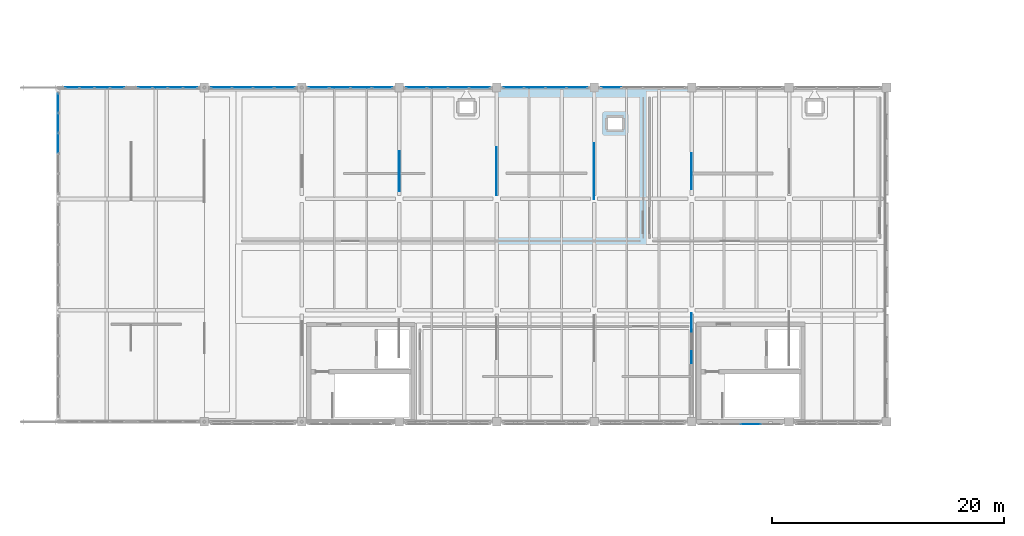
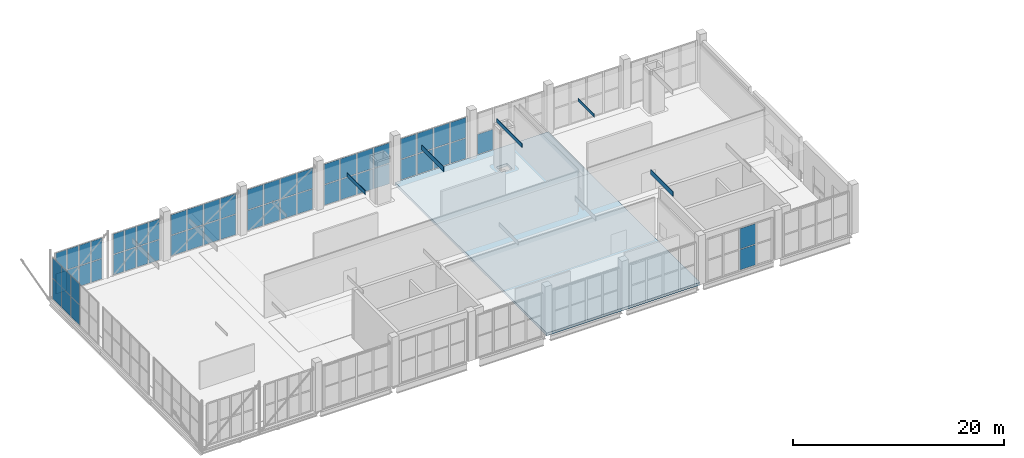
# One storey, part 30 of 49: 62 plates, 1 slab, 9 elements without a shape of their own.
"""IFC4 building model written with IfcOpenShell, lengths in metres."""

from ifc_helpers import new_model, si_unit, direction, frame, origin, origin_2d, place, context, subcontext, project, spatial, polyline, rectangle, outline, extrude, material, layer, layer_set, type_object, element, aggregate, save


model = new_model("IFC4")

# Units and contexts
model_context = context("Model", 3, precision=1e-05, world=origin(), true_north=direction((0.0, 1.0)))
body_context = subcontext(model_context, "Body", "Model", "MODEL_VIEW")
ifc_project = project(units=[si_unit("LENGTHUNIT", "METRE"), si_unit("AREAUNIT", "SQUARE_METRE"), si_unit("VOLUMEUNIT", "CUBIC_METRE"), si_unit("PLANEANGLEUNIT", "RADIAN"), si_unit("MASSUNIT", "GRAM", prefix="KILO")], contexts=[model_context])

# Site, building, storey
site_placement = place(None, origin())
site = spatial("IfcSite", under=ifc_project, at=site_placement, CompositionType="ELEMENT")
building_placement = place(site_placement, origin())
building = spatial("IfcBuilding", under=site, at=building_placement, Name="Zulmaris Art Gallery", CompositionType="ELEMENT")
storey_placement = place(building_placement, frame((0.0, 0.0, 20.699951171875)))
storey = spatial("IfcBuildingStorey", under=building, at=storey_placement, Name="L04", CompositionType="ELEMENT", Elevation=20.699951171875)

# Curtain wall, plates
ifc_material_1 = material(Name="Unitised Low-E Gallery Curtain Wall", Category="aluminium")
ifc_layer_1 = layer(ifc_material_1, 0.179931640625)
ifc_layer_set_1 = layer_set([ifc_layer_1], Name="Unitised Low-E Gallery Curtain Wall")
curtain_wall_type_1 = type_object("IfcCurtainWallType", Name="CW-CW01", PredefinedType="NOTDEFINED", material=ifc_layer_set_1)
curtain_wall_1_placement = place(storey_placement, origin())
curtain_wall_1 = element("IfcCurtainWall", 1, at=curtain_wall_1_placement, inside=storey, type_object=curtain_wall_type_1, Name="L04 curtain wall 20", PredefinedType="NOTDEFINED")
ifc_material_2 = material(Name="Triple Solar-Control Laminated Glass", Category="glass")
ifc_layer_2 = layer(ifc_material_2, 0.035888671875)
ifc_layer_set_2 = layer_set([ifc_layer_2], Name="Triple Solar-Control Laminated Glass")
plate_type_1 = type_object("IfcPlateType", Name="CWPAN-GLZ", PredefinedType="CURTAIN_PANEL", material=ifc_layer_set_2)
plate_1_placement = place(storey_placement, frame((16.48876953125, 50.39990234375, 0.0751953125), z_axis=(0.0, 0.0, 1.0), x_axis=(-1.0, 0.0, 0.0)))
plate_1 = element("IfcPlate", 2, at=plate_1_placement, type_object=plate_type_1, Name="CW01 panel 1.1", PredefinedType="CURTAIN_PANEL", context=body_context, shape_type="SweptSolid", body=[
    extrude(rectangle(XDim=1.1923828125, YDim=0.031982421875, at=origin_2d()), origin(), (0.0, 0.0, 1.0), 2.33740234375),
])
plate_2_placement = place(storey_placement, frame((16.48876953125, 50.39990234375, 2.487548828125), z_axis=(0.0, 0.0, 1.0), x_axis=(-1.0, 0.0, 0.0)))
plate_2 = element("IfcPlate", 3, at=plate_2_placement, type_object=plate_type_1, Name="CW01 panel 1.2", PredefinedType="CURTAIN_PANEL", context=body_context, shape_type="SweptSolid", body=[
    extrude(rectangle(XDim=1.1923828125, YDim=0.031982421875, at=origin_2d()), origin(), (0.0, 0.0, 1.0), 2.33740234375),
])
plate_3_placement = place(storey_placement, frame((15.202392578125, 50.39990234375, 0.0751953125), z_axis=(0.0, 0.0, 1.0), x_axis=(-1.0, 0.0, 0.0)))
plate_3 = element("IfcPlate", 4, at=plate_3_placement, type_object=plate_type_1, Name="CW01 panel 2.1", PredefinedType="CURTAIN_PANEL", context=body_context, shape_type="SweptSolid", body=[
    extrude(rectangle(XDim=1.22998046875, YDim=0.031982421875, at=origin_2d()), origin(), (0.0, 0.0, 1.0), 2.33740234375),
])
plate_4_placement = place(storey_placement, frame((15.202392578125, 50.39990234375, 2.487548828125), z_axis=(0.0, 0.0, 1.0), x_axis=(-1.0, 0.0, 0.0)))
plate_4 = element("IfcPlate", 5, at=plate_4_placement, type_object=plate_type_1, Name="CW01 panel 2.2", PredefinedType="CURTAIN_PANEL", context=body_context, shape_type="SweptSolid", body=[
    extrude(rectangle(XDim=1.22998046875, YDim=0.031982421875, at=origin_2d()), origin(), (0.0, 0.0, 1.0), 2.33740234375),
])
plate_5_placement = place(storey_placement, frame((13.8974609375, 50.39990234375, 0.0751953125), z_axis=(0.0, 0.0, 1.0), x_axis=(-1.0, 0.0, 0.0)))
plate_5 = element("IfcPlate", 6, at=plate_5_placement, type_object=plate_type_1, Name="CW01 panel 3.1", PredefinedType="CURTAIN_PANEL", context=body_context, shape_type="SweptSolid", body=[
    extrude(rectangle(XDim=1.22998046875, YDim=0.031982421875, at=origin_2d()), origin(), (0.0, 0.0, 1.0), 2.33740234375),
])
plate_6_placement = place(storey_placement, frame((13.8974609375, 50.39990234375, 2.487548828125), z_axis=(0.0, 0.0, 1.0), x_axis=(-1.0, 0.0, 0.0)))
plate_6 = element("IfcPlate", 7, at=plate_6_placement, type_object=plate_type_1, Name="CW01 panel 3.2", PredefinedType="CURTAIN_PANEL", context=body_context, shape_type="SweptSolid", body=[
    extrude(rectangle(XDim=1.22998046875, YDim=0.031982421875, at=origin_2d()), origin(), (0.0, 0.0, 1.0), 2.33740234375),
])
plate_7_placement = place(storey_placement, frame((12.611328125, 50.39990234375, 0.0751953125), z_axis=(0.0, 0.0, 1.0), x_axis=(-1.0, 0.0, 0.0)))
plate_7 = element("IfcPlate", 8, at=plate_7_placement, type_object=plate_type_1, Name="CW01 panel 4.1", PredefinedType="CURTAIN_PANEL", context=body_context, shape_type="SweptSolid", body=[
    extrude(rectangle(XDim=1.1923828125, YDim=0.031982421875, at=origin_2d()), origin(), (0.0, 0.0, 1.0), 2.33740234375),
])
plate_8_placement = place(storey_placement, frame((12.611328125, 50.39990234375, 2.487548828125), z_axis=(0.0, 0.0, 1.0), x_axis=(-1.0, 0.0, 0.0)))
plate_8 = element("IfcPlate", 9, at=plate_8_placement, type_object=plate_type_1, Name="CW01 panel 4.2", PredefinedType="CURTAIN_PANEL", context=body_context, shape_type="SweptSolid", body=[
    extrude(rectangle(XDim=1.1923828125, YDim=0.031982421875, at=origin_2d()), origin(), (0.0, 0.0, 1.0), 2.33740234375),
])
aggregate(curtain_wall_1, [plate_1, plate_2, plate_3, plate_4, plate_5, plate_6, plate_7, plate_8])

curtain_wall_2_placement = place(storey_placement, origin())
curtain_wall_2 = element("IfcCurtainWall", 10, at=curtain_wall_2_placement, inside=storey, type_object=curtain_wall_type_1, Name="L04 curtain wall 22", PredefinedType="NOTDEFINED")
plate_9_placement = place(storey_placement, frame((22.788818359375, 50.39990234375, 0.0751953125), z_axis=(0.0, 0.0, 1.0), x_axis=(-1.0, 0.0, 0.0)))
plate_9 = element("IfcPlate", 11, at=plate_9_placement, type_object=plate_type_1, Name="CW01 panel 1.1", PredefinedType="CURTAIN_PANEL", context=body_context, shape_type="SweptSolid", body=[
    extrude(rectangle(XDim=1.1923828125, YDim=0.031982421875, at=origin_2d()), origin(), (0.0, 0.0, 1.0), 2.33740234375),
])
plate_10_placement = place(storey_placement, frame((22.788818359375, 50.39990234375, 2.487548828125), z_axis=(0.0, 0.0, 1.0), x_axis=(-1.0, 0.0, 0.0)))
plate_10 = element("IfcPlate", 12, at=plate_10_placement, type_object=plate_type_1, Name="CW01 panel 1.2", PredefinedType="CURTAIN_PANEL", context=body_context, shape_type="SweptSolid", body=[
    extrude(rectangle(XDim=1.1923828125, YDim=0.031982421875, at=origin_2d()), origin(), (0.0, 0.0, 1.0), 2.33740234375),
])
plate_11_placement = place(storey_placement, frame((21.50244140625, 50.39990234375, 0.0751953125), z_axis=(0.0, 0.0, 1.0), x_axis=(-1.0, 0.0, 0.0)))
plate_11 = element("IfcPlate", 13, at=plate_11_placement, type_object=plate_type_1, Name="CW01 panel 2.1", PredefinedType="CURTAIN_PANEL", context=body_context, shape_type="SweptSolid", body=[
    extrude(rectangle(XDim=1.22998046875, YDim=0.031982421875, at=origin_2d()), origin(), (0.0, 0.0, 1.0), 2.33740234375),
])
plate_12_placement = place(storey_placement, frame((21.50244140625, 50.39990234375, 2.487548828125), z_axis=(0.0, 0.0, 1.0), x_axis=(-1.0, 0.0, 0.0)))
plate_12 = element("IfcPlate", 14, at=plate_12_placement, type_object=plate_type_1, Name="CW01 panel 2.2", PredefinedType="CURTAIN_PANEL", context=body_context, shape_type="SweptSolid", body=[
    extrude(rectangle(XDim=1.22998046875, YDim=0.031982421875, at=origin_2d()), origin(), (0.0, 0.0, 1.0), 2.33740234375),
])
plate_13_placement = place(storey_placement, frame((20.197509765625, 50.39990234375, 0.0751953125), z_axis=(0.0, 0.0, 1.0), x_axis=(-1.0, 0.0, 0.0)))
plate_13 = element("IfcPlate", 15, at=plate_13_placement, type_object=plate_type_1, Name="CW01 panel 3.1", PredefinedType="CURTAIN_PANEL", context=body_context, shape_type="SweptSolid", body=[
    extrude(rectangle(XDim=1.22998046875, YDim=0.031982421875, at=origin_2d()), origin(), (0.0, 0.0, 1.0), 2.33740234375),
])
plate_14_placement = place(storey_placement, frame((20.197509765625, 50.39990234375, 2.487548828125), z_axis=(0.0, 0.0, 1.0), x_axis=(-1.0, 0.0, 0.0)))
plate_14 = element("IfcPlate", 16, at=plate_14_placement, type_object=plate_type_1, Name="CW01 panel 3.2", PredefinedType="CURTAIN_PANEL", context=body_context, shape_type="SweptSolid", body=[
    extrude(rectangle(XDim=1.22998046875, YDim=0.031982421875, at=origin_2d()), origin(), (0.0, 0.0, 1.0), 2.33740234375),
])
plate_15_placement = place(storey_placement, frame((18.9111328125, 50.39990234375, 0.0751953125), z_axis=(0.0, 0.0, 1.0), x_axis=(-1.0, 0.0, 0.0)))
plate_15 = element("IfcPlate", 17, at=plate_15_placement, type_object=plate_type_1, Name="CW01 panel 4.1", PredefinedType="CURTAIN_PANEL", context=body_context, shape_type="SweptSolid", body=[
    extrude(rectangle(XDim=1.1923828125, YDim=0.031982421875, at=origin_2d()), origin(), (0.0, 0.0, 1.0), 2.33740234375),
])
plate_16_placement = place(storey_placement, frame((18.9111328125, 50.39990234375, 2.487548828125), z_axis=(0.0, 0.0, 1.0), x_axis=(-1.0, 0.0, 0.0)))
plate_16 = element("IfcPlate", 18, at=plate_16_placement, type_object=plate_type_1, Name="CW01 panel 4.2", PredefinedType="CURTAIN_PANEL", context=body_context, shape_type="SweptSolid", body=[
    extrude(rectangle(XDim=1.1923828125, YDim=0.031982421875, at=origin_2d()), origin(), (0.0, 0.0, 1.0), 2.33740234375),
])
aggregate(curtain_wall_2, [plate_9, plate_10, plate_11, plate_12, plate_13, plate_14, plate_15, plate_16])

curtain_wall_3_placement = place(storey_placement, origin())
curtain_wall_3 = element("IfcCurtainWall", 19, at=curtain_wall_3_placement, inside=storey, type_object=curtain_wall_type_1, Name="L04 curtain wall 24", PredefinedType="NOTDEFINED")
plate_17_placement = place(storey_placement, frame((30.92626953125, 50.39990234375, 0.0751953125), z_axis=(0.0, 0.0, 1.0), x_axis=(-1.0, 0.0, 0.0)))
plate_17 = element("IfcPlate", 20, at=plate_17_placement, type_object=plate_type_1, Name="CW01 panel 1.1", PredefinedType="CURTAIN_PANEL", context=body_context, shape_type="SweptSolid", body=[
    extrude(rectangle(XDim=1.717529296875, YDim=0.031982421875, at=origin_2d()), origin(), (0.0, 0.0, 1.0), 2.33740234375),
])
plate_18_placement = place(storey_placement, frame((30.92626953125, 50.39990234375, 2.487548828125), z_axis=(0.0, 0.0, 1.0), x_axis=(-1.0, 0.0, 0.0)))
plate_18 = element("IfcPlate", 21, at=plate_18_placement, type_object=plate_type_1, Name="CW01 panel 1.2", PredefinedType="CURTAIN_PANEL", context=body_context, shape_type="SweptSolid", body=[
    extrude(rectangle(XDim=1.717529296875, YDim=0.031982421875, at=origin_2d()), origin(), (0.0, 0.0, 1.0), 2.33740234375),
])
plate_19_placement = place(storey_placement, frame((29.114990234375, 50.39990234375, 0.0751953125), z_axis=(0.0, 0.0, 1.0), x_axis=(-1.0, 0.0, 0.0)))
plate_19 = element("IfcPlate", 22, at=plate_19_placement, type_object=plate_type_1, Name="CW01 panel 2.1", PredefinedType="CURTAIN_PANEL", context=body_context, shape_type="SweptSolid", body=[
    extrude(rectangle(XDim=1.7548828125, YDim=0.031982421875, at=origin_2d()), origin(), (0.0, 0.0, 1.0), 2.33740234375),
])
plate_20_placement = place(storey_placement, frame((29.114990234375, 50.39990234375, 2.487548828125), z_axis=(0.0, 0.0, 1.0), x_axis=(-1.0, 0.0, 0.0)))
plate_20 = element("IfcPlate", 23, at=plate_20_placement, type_object=plate_type_1, Name="CW01 panel 2.2", PredefinedType="CURTAIN_PANEL", context=body_context, shape_type="SweptSolid", body=[
    extrude(rectangle(XDim=1.7548828125, YDim=0.031982421875, at=origin_2d()), origin(), (0.0, 0.0, 1.0), 2.33740234375),
])
plate_21_placement = place(storey_placement, frame((27.284912109375, 50.39990234375, 0.0751953125), z_axis=(0.0, 0.0, 1.0), x_axis=(-1.0, 0.0, 0.0)))
plate_21 = element("IfcPlate", 24, at=plate_21_placement, type_object=plate_type_1, Name="CW01 panel 3.1", PredefinedType="CURTAIN_PANEL", context=body_context, shape_type="SweptSolid", body=[
    extrude(rectangle(XDim=1.7548828125, YDim=0.031982421875, at=origin_2d()), origin(), (0.0, 0.0, 1.0), 2.33740234375),
])
plate_22_placement = place(storey_placement, frame((27.284912109375, 50.39990234375, 2.487548828125), z_axis=(0.0, 0.0, 1.0), x_axis=(-1.0, 0.0, 0.0)))
plate_22 = element("IfcPlate", 25, at=plate_22_placement, type_object=plate_type_1, Name="CW01 panel 3.2", PredefinedType="CURTAIN_PANEL", context=body_context, shape_type="SweptSolid", body=[
    extrude(rectangle(XDim=1.7548828125, YDim=0.031982421875, at=origin_2d()), origin(), (0.0, 0.0, 1.0), 2.33740234375),
])
plate_23_placement = place(storey_placement, frame((25.4736328125, 50.39990234375, 0.0751953125), z_axis=(0.0, 0.0, 1.0), x_axis=(-1.0, 0.0, 0.0)))
plate_23 = element("IfcPlate", 26, at=plate_23_placement, type_object=plate_type_1, Name="CW01 panel 4.1", PredefinedType="CURTAIN_PANEL", context=body_context, shape_type="SweptSolid", body=[
    extrude(rectangle(XDim=1.717529296875, YDim=0.031982421875, at=origin_2d()), origin(), (0.0, 0.0, 1.0), 2.33740234375),
])
plate_24_placement = place(storey_placement, frame((25.4736328125, 50.39990234375, 2.487548828125), z_axis=(0.0, 0.0, 1.0), x_axis=(-1.0, 0.0, 0.0)))
plate_24 = element("IfcPlate", 27, at=plate_24_placement, type_object=plate_type_1, Name="CW01 panel 4.2", PredefinedType="CURTAIN_PANEL", context=body_context, shape_type="SweptSolid", body=[
    extrude(rectangle(XDim=1.717529296875, YDim=0.031982421875, at=origin_2d()), origin(), (0.0, 0.0, 1.0), 2.33740234375),
])
aggregate(curtain_wall_3, [plate_17, plate_18, plate_19, plate_20, plate_21, plate_22, plate_23, plate_24])

curtain_wall_4_placement = place(storey_placement, origin())
curtain_wall_4 = element("IfcCurtainWall", 28, at=curtain_wall_4_placement, inside=storey, type_object=curtain_wall_type_1, Name="L04 curtain wall 25", PredefinedType="NOTDEFINED")
plate_25_placement = place(storey_placement, frame((39.326171875, 50.39990234375, 0.0751953125), z_axis=(0.0, 0.0, 1.0), x_axis=(-1.0, 0.0, 0.0)))
plate_25 = element("IfcPlate", 29, at=plate_25_placement, type_object=plate_type_1, Name="CW01 panel 1.1", PredefinedType="CURTAIN_PANEL", context=body_context, shape_type="SweptSolid", body=[
    extrude(rectangle(XDim=1.717529296875, YDim=0.031982421875, at=origin_2d()), origin(), (0.0, 0.0, 1.0), 2.33740234375),
])
plate_26_placement = place(storey_placement, frame((39.326171875, 50.39990234375, 2.487548828125), z_axis=(0.0, 0.0, 1.0), x_axis=(-1.0, 0.0, 0.0)))
plate_26 = element("IfcPlate", 30, at=plate_26_placement, type_object=plate_type_1, Name="CW01 panel 1.2", PredefinedType="CURTAIN_PANEL", context=body_context, shape_type="SweptSolid", body=[
    extrude(rectangle(XDim=1.717529296875, YDim=0.031982421875, at=origin_2d()), origin(), (0.0, 0.0, 1.0), 2.33740234375),
])
plate_27_placement = place(storey_placement, frame((37.514892578125, 50.39990234375, 0.0751953125), z_axis=(0.0, 0.0, 1.0), x_axis=(-1.0, 0.0, 0.0)))
plate_27 = element("IfcPlate", 31, at=plate_27_placement, type_object=plate_type_1, Name="CW01 panel 2.1", PredefinedType="CURTAIN_PANEL", context=body_context, shape_type="SweptSolid", body=[
    extrude(rectangle(XDim=1.7548828125, YDim=0.031982421875, at=origin_2d()), origin(), (0.0, 0.0, 1.0), 2.33740234375),
])
plate_28_placement = place(storey_placement, frame((37.514892578125, 50.39990234375, 2.487548828125), z_axis=(0.0, 0.0, 1.0), x_axis=(-1.0, 0.0, 0.0)))
plate_28 = element("IfcPlate", 32, at=plate_28_placement, type_object=plate_type_1, Name="CW01 panel 2.2", PredefinedType="CURTAIN_PANEL", context=body_context, shape_type="SweptSolid", body=[
    extrude(rectangle(XDim=1.7548828125, YDim=0.031982421875, at=origin_2d()), origin(), (0.0, 0.0, 1.0), 2.33740234375),
])
plate_29_placement = place(storey_placement, frame((35.68505859375, 50.39990234375, 0.0751953125), z_axis=(0.0, 0.0, 1.0), x_axis=(-1.0, 0.0, 0.0)))
plate_29 = element("IfcPlate", 33, at=plate_29_placement, type_object=plate_type_1, Name="CW01 panel 3.1", PredefinedType="CURTAIN_PANEL", context=body_context, shape_type="SweptSolid", body=[
    extrude(rectangle(XDim=1.7548828125, YDim=0.031982421875, at=origin_2d()), origin(), (0.0, 0.0, 1.0), 2.33740234375),
])
plate_30_placement = place(storey_placement, frame((35.68505859375, 50.39990234375, 2.487548828125), z_axis=(0.0, 0.0, 1.0), x_axis=(-1.0, 0.0, 0.0)))
plate_30 = element("IfcPlate", 34, at=plate_30_placement, type_object=plate_type_1, Name="CW01 panel 3.2", PredefinedType="CURTAIN_PANEL", context=body_context, shape_type="SweptSolid", body=[
    extrude(rectangle(XDim=1.7548828125, YDim=0.031982421875, at=origin_2d()), origin(), (0.0, 0.0, 1.0), 2.33740234375),
])
plate_31_placement = place(storey_placement, frame((33.873779296875, 50.39990234375, 0.0751953125), z_axis=(0.0, 0.0, 1.0), x_axis=(-1.0, 0.0, 0.0)))
plate_31 = element("IfcPlate", 35, at=plate_31_placement, type_object=plate_type_1, Name="CW01 panel 4.1", PredefinedType="CURTAIN_PANEL", context=body_context, shape_type="SweptSolid", body=[
    extrude(rectangle(XDim=1.717529296875, YDim=0.031982421875, at=origin_2d()), origin(), (0.0, 0.0, 1.0), 2.33740234375),
])
plate_32_placement = place(storey_placement, frame((33.873779296875, 50.39990234375, 2.487548828125), z_axis=(0.0, 0.0, 1.0), x_axis=(-1.0, 0.0, 0.0)))
plate_32 = element("IfcPlate", 36, at=plate_32_placement, type_object=plate_type_1, Name="CW01 panel 4.2", PredefinedType="CURTAIN_PANEL", context=body_context, shape_type="SweptSolid", body=[
    extrude(rectangle(XDim=1.717529296875, YDim=0.031982421875, at=origin_2d()), origin(), (0.0, 0.0, 1.0), 2.33740234375),
])
aggregate(curtain_wall_4, [plate_25, plate_26, plate_27, plate_28, plate_29, plate_30, plate_31, plate_32])

curtain_wall_5_placement = place(storey_placement, origin())
curtain_wall_5 = element("IfcCurtainWall", 37, at=curtain_wall_5_placement, inside=storey, type_object=curtain_wall_type_1, Name="L04 curtain wall 27", PredefinedType="NOTDEFINED")
plate_33_placement = place(storey_placement, frame((47.726318359375, 50.39990234375, 0.0751953125), z_axis=(0.0, 0.0, 1.0), x_axis=(-1.0, 0.0, 0.0)))
plate_33 = element("IfcPlate", 38, at=plate_33_placement, type_object=plate_type_1, Name="CW01 panel 1.1", PredefinedType="CURTAIN_PANEL", context=body_context, shape_type="SweptSolid", body=[
    extrude(rectangle(XDim=1.717529296875, YDim=0.031982421875, at=origin_2d()), origin(), (0.0, 0.0, 1.0), 2.33740234375),
])
plate_34_placement = place(storey_placement, frame((47.726318359375, 50.39990234375, 2.487548828125), z_axis=(0.0, 0.0, 1.0), x_axis=(-1.0, 0.0, 0.0)))
plate_34 = element("IfcPlate", 39, at=plate_34_placement, type_object=plate_type_1, Name="CW01 panel 1.2", PredefinedType="CURTAIN_PANEL", context=body_context, shape_type="SweptSolid", body=[
    extrude(rectangle(XDim=1.717529296875, YDim=0.031982421875, at=origin_2d()), origin(), (0.0, 0.0, 1.0), 2.33740234375),
])
plate_35_placement = place(storey_placement, frame((45.9150390625, 50.39990234375, 0.0751953125), z_axis=(0.0, 0.0, 1.0), x_axis=(-1.0, 0.0, 0.0)))
plate_35 = element("IfcPlate", 40, at=plate_35_placement, type_object=plate_type_1, Name="CW01 panel 2.1", PredefinedType="CURTAIN_PANEL", context=body_context, shape_type="SweptSolid", body=[
    extrude(rectangle(XDim=1.7548828125, YDim=0.031982421875, at=origin_2d()), origin(), (0.0, 0.0, 1.0), 2.33740234375),
])
plate_36_placement = place(storey_placement, frame((45.9150390625, 50.39990234375, 2.487548828125), z_axis=(0.0, 0.0, 1.0), x_axis=(-1.0, 0.0, 0.0)))
plate_36 = element("IfcPlate", 41, at=plate_36_placement, type_object=plate_type_1, Name="CW01 panel 2.2", PredefinedType="CURTAIN_PANEL", context=body_context, shape_type="SweptSolid", body=[
    extrude(rectangle(XDim=1.7548828125, YDim=0.031982421875, at=origin_2d()), origin(), (0.0, 0.0, 1.0), 2.33740234375),
])
plate_37_placement = place(storey_placement, frame((44.0849609375, 50.39990234375, 0.0751953125), z_axis=(0.0, 0.0, 1.0), x_axis=(-1.0, 0.0, 0.0)))
plate_37 = element("IfcPlate", 42, at=plate_37_placement, type_object=plate_type_1, Name="CW01 panel 3.1", PredefinedType="CURTAIN_PANEL", context=body_context, shape_type="SweptSolid", body=[
    extrude(rectangle(XDim=1.7548828125, YDim=0.031982421875, at=origin_2d()), origin(), (0.0, 0.0, 1.0), 2.33740234375),
])
plate_38_placement = place(storey_placement, frame((44.0849609375, 50.39990234375, 2.487548828125), z_axis=(0.0, 0.0, 1.0), x_axis=(-1.0, 0.0, 0.0)))
plate_38 = element("IfcPlate", 43, at=plate_38_placement, type_object=plate_type_1, Name="CW01 panel 3.2", PredefinedType="CURTAIN_PANEL", context=body_context, shape_type="SweptSolid", body=[
    extrude(rectangle(XDim=1.7548828125, YDim=0.031982421875, at=origin_2d()), origin(), (0.0, 0.0, 1.0), 2.33740234375),
])
plate_39_placement = place(storey_placement, frame((42.273681640625, 50.39990234375, 0.0751953125), z_axis=(0.0, 0.0, 1.0), x_axis=(-1.0, 0.0, 0.0)))
plate_39 = element("IfcPlate", 44, at=plate_39_placement, type_object=plate_type_1, Name="CW01 panel 4.1", PredefinedType="CURTAIN_PANEL", context=body_context, shape_type="SweptSolid", body=[
    extrude(rectangle(XDim=1.717529296875, YDim=0.031982421875, at=origin_2d()), origin(), (0.0, 0.0, 1.0), 2.33740234375),
])
plate_40_placement = place(storey_placement, frame((42.273681640625, 50.39990234375, 2.487548828125), z_axis=(0.0, 0.0, 1.0), x_axis=(-1.0, 0.0, 0.0)))
plate_40 = element("IfcPlate", 45, at=plate_40_placement, type_object=plate_type_1, Name="CW01 panel 4.2", PredefinedType="CURTAIN_PANEL", context=body_context, shape_type="SweptSolid", body=[
    extrude(rectangle(XDim=1.717529296875, YDim=0.031982421875, at=origin_2d()), origin(), (0.0, 0.0, 1.0), 2.33740234375),
])
aggregate(curtain_wall_5, [plate_33, plate_34, plate_35, plate_36, plate_37, plate_38, plate_39, plate_40])

curtain_wall_6_placement = place(storey_placement, origin())
curtain_wall_6 = element("IfcCurtainWall", 46, at=curtain_wall_6_placement, inside=storey, type_object=curtain_wall_type_1, Name="L04 curtain wall 29", PredefinedType="NOTDEFINED")
plate_41_placement = place(storey_placement, frame((56.126220703125, 50.39990234375, 0.0751953125), z_axis=(0.0, 0.0, 1.0), x_axis=(-1.0, 0.0, 0.0)))
plate_41 = element("IfcPlate", 47, at=plate_41_placement, type_object=plate_type_1, Name="CW01 panel 1.1", PredefinedType="CURTAIN_PANEL", context=body_context, shape_type="SweptSolid", body=[
    extrude(rectangle(XDim=1.717529296875, YDim=0.031982421875, at=origin_2d()), origin(), (0.0, 0.0, 1.0), 2.33740234375),
])
plate_42_placement = place(storey_placement, frame((56.126220703125, 50.39990234375, 2.487548828125), z_axis=(0.0, 0.0, 1.0), x_axis=(-1.0, 0.0, 0.0)))
plate_42 = element("IfcPlate", 48, at=plate_42_placement, type_object=plate_type_1, Name="CW01 panel 1.2", PredefinedType="CURTAIN_PANEL", context=body_context, shape_type="SweptSolid", body=[
    extrude(rectangle(XDim=1.717529296875, YDim=0.031982421875, at=origin_2d()), origin(), (0.0, 0.0, 1.0), 2.33740234375),
])
plate_43_placement = place(storey_placement, frame((54.31494140625, 50.39990234375, 0.0751953125), z_axis=(0.0, 0.0, 1.0), x_axis=(-1.0, 0.0, 0.0)))
plate_43 = element("IfcPlate", 49, at=plate_43_placement, type_object=plate_type_1, Name="CW01 panel 2.1", PredefinedType="CURTAIN_PANEL", context=body_context, shape_type="SweptSolid", body=[
    extrude(rectangle(XDim=1.7548828125, YDim=0.031982421875, at=origin_2d()), origin(), (0.0, 0.0, 1.0), 2.33740234375),
])
plate_44_placement = place(storey_placement, frame((54.31494140625, 50.39990234375, 2.487548828125), z_axis=(0.0, 0.0, 1.0), x_axis=(-1.0, 0.0, 0.0)))
plate_44 = element("IfcPlate", 50, at=plate_44_placement, type_object=plate_type_1, Name="CW01 panel 2.2", PredefinedType="CURTAIN_PANEL", context=body_context, shape_type="SweptSolid", body=[
    extrude(rectangle(XDim=1.7548828125, YDim=0.031982421875, at=origin_2d()), origin(), (0.0, 0.0, 1.0), 2.33740234375),
])
plate_45_placement = place(storey_placement, frame((52.485107421875, 50.39990234375, 0.0751953125), z_axis=(0.0, 0.0, 1.0), x_axis=(-1.0, 0.0, 0.0)))
plate_45 = element("IfcPlate", 51, at=plate_45_placement, type_object=plate_type_1, Name="CW01 panel 3.1", PredefinedType="CURTAIN_PANEL", context=body_context, shape_type="SweptSolid", body=[
    extrude(rectangle(XDim=1.7548828125, YDim=0.031982421875, at=origin_2d()), origin(), (0.0, 0.0, 1.0), 2.33740234375),
])
plate_46_placement = place(storey_placement, frame((52.485107421875, 50.39990234375, 2.487548828125), z_axis=(0.0, 0.0, 1.0), x_axis=(-1.0, 0.0, 0.0)))
plate_46 = element("IfcPlate", 52, at=plate_46_placement, type_object=plate_type_1, Name="CW01 panel 3.2", PredefinedType="CURTAIN_PANEL", context=body_context, shape_type="SweptSolid", body=[
    extrude(rectangle(XDim=1.7548828125, YDim=0.031982421875, at=origin_2d()), origin(), (0.0, 0.0, 1.0), 2.33740234375),
])
plate_47_placement = place(storey_placement, frame((50.673828125, 50.39990234375, 0.0751953125), z_axis=(0.0, 0.0, 1.0), x_axis=(-1.0, 0.0, 0.0)))
plate_47 = element("IfcPlate", 53, at=plate_47_placement, type_object=plate_type_1, Name="CW01 panel 4.1", PredefinedType="CURTAIN_PANEL", context=body_context, shape_type="SweptSolid", body=[
    extrude(rectangle(XDim=1.717529296875, YDim=0.031982421875, at=origin_2d()), origin(), (0.0, 0.0, 1.0), 2.33740234375),
])
plate_48_placement = place(storey_placement, frame((50.673828125, 50.39990234375, 2.487548828125), z_axis=(0.0, 0.0, 1.0), x_axis=(-1.0, 0.0, 0.0)))
plate_48 = element("IfcPlate", 54, at=plate_48_placement, type_object=plate_type_1, Name="CW01 panel 4.2", PredefinedType="CURTAIN_PANEL", context=body_context, shape_type="SweptSolid", body=[
    extrude(rectangle(XDim=1.717529296875, YDim=0.031982421875, at=origin_2d()), origin(), (0.0, 0.0, 1.0), 2.33740234375),
])
aggregate(curtain_wall_6, [plate_41, plate_42, plate_43, plate_44, plate_45, plate_46, plate_47, plate_48])

# Curtain wall, plate
curtain_wall_7_placement = place(storey_placement, origin())
curtain_wall_7 = element("IfcCurtainWall", 55, at=curtain_wall_7_placement, inside=storey, type_object=curtain_wall_type_1, Name="L04 curtain wall 31", PredefinedType="NOTDEFINED")
plate_49_placement = place(storey_placement, frame((59.07373046875, 50.39990234375, 0.0751953125), z_axis=(0.0, 0.0, 1.0), x_axis=(-1.0, 0.0, 0.0)))
plate_49 = element("IfcPlate", 56, at=plate_49_placement, type_object=plate_type_1, Name="CW01 panel 4.1", PredefinedType="CURTAIN_PANEL", context=body_context, shape_type="SweptSolid", body=[
    extrude(rectangle(XDim=1.717529296875, YDim=0.031982421875, at=origin_2d()), origin(), (0.0, 0.0, 1.0), 2.33740234375),
])
aggregate(curtain_wall_7, [plate_49])

# Curtain wall, plates
ifc_material_3 = material(Name="Belvedere Horizon Glazed Curtain Wall", Category="aluminium")
ifc_layer_3 = layer(ifc_material_3, 0.179931640625)
ifc_layer_set_3 = layer_set([ifc_layer_3], Name="Belvedere Horizon Glazed Curtain Wall")
curtain_wall_type_2 = type_object("IfcCurtainWallType", Name="CW-CW02", PredefinedType="NOTDEFINED", material=ifc_layer_set_3)
curtain_wall_8_placement = place(storey_placement, origin())
curtain_wall_8 = element("IfcCurtainWall", 57, at=curtain_wall_8_placement, inside=storey, type_object=curtain_wall_type_2, Name="L04 curtain wall 37", PredefinedType="NOTDEFINED")
plate_50_placement = place(storey_placement, frame((11.39990234375, 45.60009765625, 0.0751953125), z_axis=(0.0, 0.0, 1.0), x_axis=(0.0, 1.0, 0.0)))
plate_50 = element("IfcPlate", 58, at=plate_50_placement, type_object=plate_type_1, Name="CW02 panel 3.1", PredefinedType="CURTAIN_PANEL", context=body_context, shape_type="SweptSolid", body=[
    extrude(rectangle(XDim=1.6650390625, YDim=0.031982421875, at=origin_2d()), origin(), (0.0, 0.0, 1.0), 2.33740234375),
])
plate_51_placement = place(storey_placement, frame((11.39990234375, 45.60009765625, 2.487548828125), z_axis=(0.0, 0.0, 1.0), x_axis=(0.0, 1.0, 0.0)))
plate_51 = element("IfcPlate", 59, at=plate_51_placement, type_object=plate_type_1, Name="CW02 panel 3.2", PredefinedType="CURTAIN_PANEL", context=body_context, shape_type="SweptSolid", body=[
    extrude(rectangle(XDim=1.6650390625, YDim=0.031982421875, at=origin_2d()), origin(), (0.0, 0.0, 1.0), 2.33740234375),
])
plate_52_placement = place(storey_placement, frame((11.39990234375, 47.340087890625, 0.0751953125), z_axis=(0.0, 0.0, 1.0), x_axis=(0.0, 1.0, 0.0)))
plate_52 = element("IfcPlate", 60, at=plate_52_placement, type_object=plate_type_1, Name="CW02 panel 4.1", PredefinedType="CURTAIN_PANEL", context=body_context, shape_type="SweptSolid", body=[
    extrude(rectangle(XDim=1.6650390625, YDim=0.031982421875, at=origin_2d()), origin(), (0.0, 0.0, 1.0), 2.33740234375),
])
plate_53_placement = place(storey_placement, frame((11.39990234375, 47.340087890625, 2.487548828125), z_axis=(0.0, 0.0, 1.0), x_axis=(0.0, 1.0, 0.0)))
plate_53 = element("IfcPlate", 61, at=plate_53_placement, type_object=plate_type_1, Name="CW02 panel 4.2", PredefinedType="CURTAIN_PANEL", context=body_context, shape_type="SweptSolid", body=[
    extrude(rectangle(XDim=1.6650390625, YDim=0.031982421875, at=origin_2d()), origin(), (0.0, 0.0, 1.0), 2.33740234375),
])
plate_54_placement = place(storey_placement, frame((11.39990234375, 49.061279296875, 0.0751953125), z_axis=(0.0, 0.0, 1.0), x_axis=(0.0, 1.0, 0.0)))
plate_54 = element("IfcPlate", 62, at=plate_54_placement, type_object=plate_type_1, Name="CW02 panel 5.1", PredefinedType="CURTAIN_PANEL", context=body_context, shape_type="SweptSolid", body=[
    extrude(rectangle(XDim=1.62744140625, YDim=0.031982421875, at=origin_2d()), origin(), (0.0, 0.0, 1.0), 2.33740234375),
])
plate_55_placement = place(storey_placement, frame((11.39990234375, 49.061279296875, 2.487548828125), z_axis=(0.0, 0.0, 1.0), x_axis=(0.0, 1.0, 0.0)))
plate_55 = element("IfcPlate", 63, at=plate_55_placement, type_object=plate_type_1, Name="CW02 panel 5.2", PredefinedType="CURTAIN_PANEL", context=body_context, shape_type="SweptSolid", body=[
    extrude(rectangle(XDim=1.62744140625, YDim=0.031982421875, at=origin_2d()), origin(), (0.0, 0.0, 1.0), 2.33740234375),
])
aggregate(curtain_wall_8, [plate_50, plate_51, plate_52, plate_53, plate_54, plate_55])

ifc_material_4 = material(Name="Perforated Bronze Art Deco Mashrabiya Screen", Category="aluminium")
ifc_layer_4 = layer(ifc_material_4, 0.179931640625)
ifc_layer_set_4 = layer_set([ifc_layer_4], Name="Perforated Bronze Art Deco Mashrabiya Screen")
curtain_wall_type_3 = type_object("IfcCurtainWallType", Name="CW-CW06", PredefinedType="USERDEFINED", material=ifc_layer_set_4)
curtain_wall_9_placement = place(storey_placement, origin())
curtain_wall_9 = element("IfcCurtainWall", 64, at=curtain_wall_9_placement, inside=storey, type_object=curtain_wall_type_3, Name="L04 Mashrabiya screen 183", ObjectType="MASHRABIYA SCREEN", PredefinedType="USERDEFINED")
ifc_material_5 = material(Name="Perforated Cast Bronze Chevron Panel", Category="aluminium")
ifc_layer_5 = layer(ifc_material_5, 0.02392578125)
ifc_layer_set_5 = layer_set([ifc_layer_5], Name="Perforated Cast Bronze Chevron Panel")
plate_type_2 = type_object("IfcPlateType", Name="CWPAN-MSH", PredefinedType="CURTAIN_PANEL", material=ifc_layer_set_5)
plate_56_placement = place(storey_placement, frame((71.10009765625, 21.3798828125, 0.0751953125), z_axis=(0.0, 0.0, 1.0), x_axis=(1.0, 0.0, 0.0)))
plate_56 = element("IfcPlate", 65, at=plate_56_placement, type_object=plate_type_2, Name="CW06 panel 3.1", PredefinedType="CURTAIN_PANEL", context=body_context, shape_type="SweptSolid", body=[
    extrude(rectangle(XDim=1.72509765625, YDim=0.031982421875, at=origin_2d()), origin(), (0.0, 0.0, 1.0), 2.362548828125),
])
plate_57_placement = place(storey_placement, frame((71.10009765625, 21.3798828125, 2.5126953125), z_axis=(0.0, 0.0, 1.0), x_axis=(1.0, 0.0, 0.0)))
plate_57 = element("IfcPlate", 66, at=plate_57_placement, type_object=plate_type_2, Name="CW06 panel 3.2", PredefinedType="CURTAIN_PANEL", context=body_context, shape_type="SweptSolid", body=[
    extrude(rectangle(XDim=1.72509765625, YDim=0.031982421875, at=origin_2d()), origin(), (0.0, 0.0, 1.0), 2.362548828125),
])
aggregate(curtain_wall_9, [plate_56, plate_57])

# Plates
ifc_material_6 = material(Name="Perforated Bronze Acoustic Gallery Baffle", Category="aluminium")
ifc_layer_6 = layer(ifc_material_6, 0.050048828125)
ifc_layer_set_6 = layer_set([ifc_layer_6], Name="Perforated Bronze Acoustic Gallery Baffle")
plate_type_3 = type_object("IfcPlateType", Name="PLT-BF07", PredefinedType="SHEET", material=ifc_layer_set_6)
plate_58_placement = place(storey_placement, frame((66.0, 28.800048828125, 6.8701171875), z_axis=(0.0, 0.0, 1.0), x_axis=(1.0, 0.0, 0.0)))
element("IfcPlate", 67, at=plate_58_placement, inside=storey, type_object=plate_type_3, Name="L04 Top-Lit Gallery Acoustic Ceiling Baffle 7", PredefinedType="SHEET", context=body_context, shape_type="SweptSolid", body=[
    extrude(rectangle(XDim=0.050048828125, YDim=4.300048828125, at=origin_2d()), origin(), (0.0, 0.0, 1.0), 0.56005859375),
])
ifc_layer_7 = layer(ifc_material_6, 0.049072265625)
ifc_layer_set_7 = layer_set([ifc_layer_7], Name="Perforated Bronze Acoustic Gallery Baffle")
plate_type_4 = type_object("IfcPlateType", Name="PLT-BF12", PredefinedType="SHEET", material=ifc_layer_set_7)
plate_59_placement = place(storey_placement, frame((40.800048828125, 43.199951171875, 6.900146484375), z_axis=(0.0, 0.0, 1.0), x_axis=(1.0, 0.0, 0.0)))
element("IfcPlate", 68, at=plate_59_placement, inside=storey, type_object=plate_type_4, Name="L04 Top-Lit Gallery Acoustic Ceiling Baffle 12", PredefinedType="SHEET", context=body_context, shape_type="SweptSolid", body=[
    extrude(rectangle(XDim=0.049072265625, YDim=3.449951171875, at=origin_2d()), origin(), (0.0, 0.0, 1.0), 0.5),
])
ifc_layer_8 = layer(ifc_material_6, 0.052978515625)
ifc_layer_set_8 = layer_set([ifc_layer_8], Name="Perforated Bronze Acoustic Gallery Baffle")
plate_type_5 = type_object("IfcPlateType", Name="PLT-BF13", PredefinedType="SHEET", material=ifc_layer_set_8)
plate_60_placement = place(storey_placement, frame((49.199951171875, 43.199951171875, 6.860107421875), z_axis=(0.0, 0.0, 1.0), x_axis=(1.0, 0.0, 0.0)))
element("IfcPlate", 69, at=plate_60_placement, inside=storey, type_object=plate_type_5, Name="L04 Top-Lit Gallery Acoustic Ceiling Baffle 13", PredefinedType="SHEET", context=body_context, shape_type="SweptSolid", body=[
    extrude(rectangle(XDim=0.052978515625, YDim=4.14990234375, at=origin_2d()), origin(), (0.0, 0.0, 1.0), 0.580078125),
])
ifc_layer_9 = layer(ifc_material_6, 0.047119140625)
ifc_layer_set_9 = layer_set([ifc_layer_9], Name="Perforated Bronze Acoustic Gallery Baffle")
plate_type_6 = type_object("IfcPlateType", Name="PLT-BF14", PredefinedType="SHEET", material=ifc_layer_set_9)
plate_61_placement = place(storey_placement, frame((57.60009765625, 43.199951171875, 6.920166015625), z_axis=(0.0, 0.0, 1.0), x_axis=(1.0, 0.0, 0.0)))
element("IfcPlate", 70, at=plate_61_placement, inside=storey, type_object=plate_type_6, Name="L04 Top-Lit Gallery Acoustic Ceiling Baffle 14", PredefinedType="SHEET", context=body_context, shape_type="SweptSolid", body=[
    extrude(rectangle(XDim=0.047119140625, YDim=4.85009765625, at=origin_2d()), origin(), (0.0, 0.0, 1.0), 0.4599609375),
])
ifc_layer_10 = layer(ifc_material_6, 0.041015625)
ifc_layer_set_10 = layer_set([ifc_layer_10], Name="Perforated Bronze Acoustic Gallery Baffle")
plate_type_7 = type_object("IfcPlateType", Name="PLT-BF15", PredefinedType="SHEET", material=ifc_layer_set_10)
plate_62_placement = place(storey_placement, frame((66.0, 43.199951171875, 6.960205078125), z_axis=(0.0, 0.0, 1.0), x_axis=(1.0, 0.0, 0.0)))
element("IfcPlate", 71, at=plate_62_placement, inside=storey, type_object=plate_type_7, Name="L04 Top-Lit Gallery Acoustic Ceiling Baffle 15", PredefinedType="SHEET", context=body_context, shape_type="SweptSolid", body=[
    extrude(rectangle(XDim=0.041015625, YDim=3.10009765625, at=origin_2d()), origin(), (0.0, 0.0, 1.0), 0.3798828125),
])

# Slab
ifc_material_7 = material(Name="Concrete C40/50", Category="concrete")
ifc_layer_11 = layer(ifc_material_7, 0.31005859375)
ifc_layer_set_11 = layer_set([ifc_layer_11], Name="Concrete C40/50")
slab_type = type_object("IfcSlabType", Name="SLAB-SL-FL03", PredefinedType="FLOOR", material=ifc_layer_set_11)
slab_placement = place(storey_placement, frame((0.0, 0.0, -0.31005859375)))
element("IfcSlab", 72, at=slab_placement, inside=storey, type_object=slab_type, Name="L04 V1-HALL-M slab", PredefinedType="FLOOR", context=body_context, shape_type="SweptSolid", body=[
    extrude(outline(polyline([(49.199951171875, 21.60009765625), (49.199951171875, 50.39990234375), (66.0, 50.39990234375), (66.0, 21.60009765625), (49.199951171875, 21.60009765625)]), holes=[polyline([(60.0, 46.800048828125), (60.0, 47.800048828125), (58.800048828125, 47.800048828125), (58.800048828125, 46.800048828125), (60.0, 46.800048828125)])]), origin(), (0.0, 0.0, 1.0), 0.31005859375),
])

save(model, "model.ifc")
